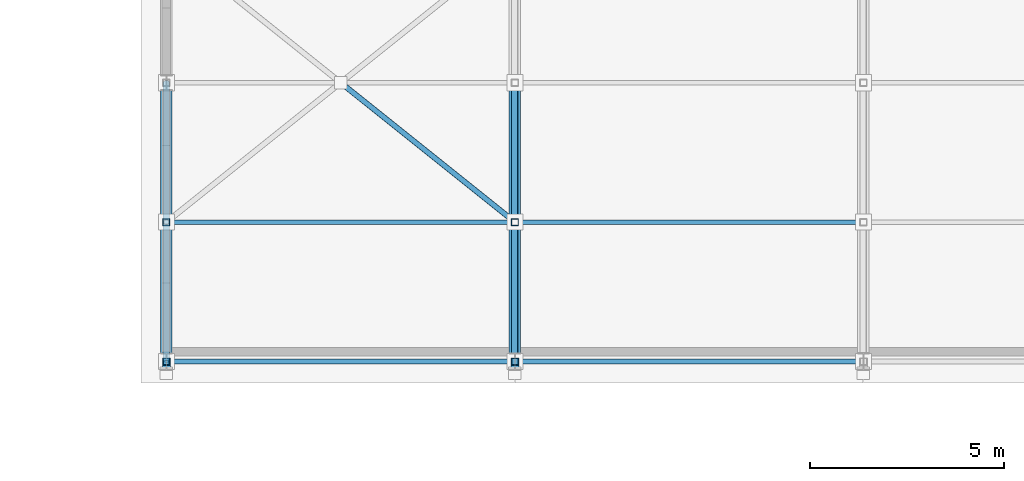
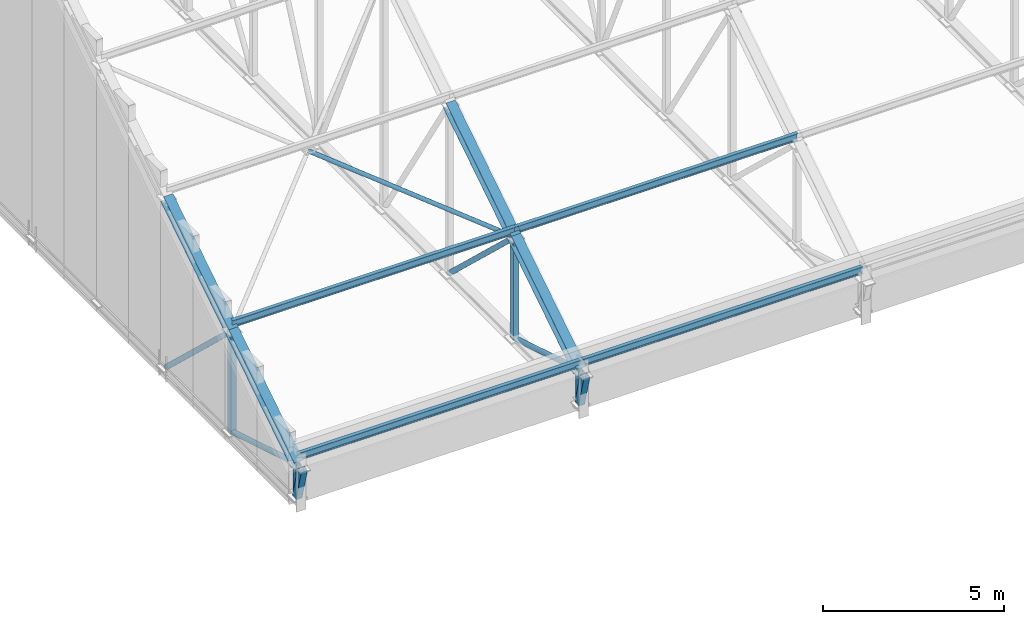
# One storey, part 65 of 182: 19 members.
"""IFC4 building model written with IfcOpenShell, lengths in metres."""

from ifc_helpers import new_model, si_unit, direction, frame, origin, origin_2d, place, context, subcontext, project, spatial, hollow_rectangle, hollow_circle, i_section, extrude, material, material_profile, profile_set, type_object, element, save


model = new_model("IFC4")

# Units and contexts
model_context = context("Model", 3, precision=1e-05, world=origin(), true_north=direction((0.0, 1.0)))
body_context = subcontext(model_context, "Body", "Model", "MODEL_VIEW")
ifc_project = project(units=[si_unit("LENGTHUNIT", "METRE"), si_unit("AREAUNIT", "SQUARE_METRE"), si_unit("VOLUMEUNIT", "CUBIC_METRE"), si_unit("PLANEANGLEUNIT", "RADIAN"), si_unit("MASSUNIT", "GRAM", prefix="KILO")], contexts=[model_context])

# Site, building, storey
site_placement = place(None, origin())
site = spatial("IfcSite", under=ifc_project, at=site_placement, CompositionType="ELEMENT")
building_placement = place(site_placement, origin())
building = spatial("IfcBuilding", under=site, at=building_placement, Name="Chiffa Square Polytechnic", CompositionType="ELEMENT")
storey_placement = place(building_placement, frame((0.0, 0.0, 9.60009765625)))
storey = spatial("IfcBuildingStorey", under=building, at=storey_placement, Name="L02", CompositionType="ELEMENT", Elevation=9.60009765625)

# Members
ifc_material = material(Name="Steel S355", Category="steel")
ifc_material_profile_1 = material_profile(ifc_material, hollow_circle(Radius=0.06982421875, WallThickness=0.008056640625, at=origin_2d()), Name="CHS 139.7x8")
ifc_profile_set_1 = profile_set([ifc_material_profile_1], Name="Steel S355")
member_type_1 = type_object("IfcMemberType", Name="MEM-BRC-CHS140", PredefinedType="BRACE", material=ifc_profile_set_1)
member_1_placement = place(storey_placement, frame((116.699951171875, 65.39990234375, 6.0498046875), z_axis=(0.725259063679, -0.58018364225, -0.370656487623), x_axis=(0.624679547852, 0.780881208953, 0.0)))
element("IfcMember", 1, at=member_1_placement, inside=storey, type_object=member_type_1, Name="Workshop split roof X-brace segment BR-V2-RF-01S2B", PredefinedType="BRACE", context=body_context, shape_type="SweptSolid", body=[
    extrude(hollow_circle(Radius=0.06982421875, WallThickness=0.008056640625, at=origin_2d()), origin(), (0.0, 0.0, 1.0), 6.20458984375),
])
ifc_material_profile_2 = material_profile(ifc_material, i_section(OverallWidth=0.300048828125, OverallDepth=0.31005859375, WebThickness=0.009033203125, FlangeThickness=0.015380859375, FilletRadius=0.027099609375, at=origin_2d()), Name="HEA 320")
ifc_profile_set_2 = profile_set([ifc_material_profile_2], Name="Steel S355")
member_type_2 = type_object("IfcMemberType", Name="MEM-CHORD-HEA320", PredefinedType="CHORD", material=ifc_profile_set_2)
member_2_placement = place(storey_placement, frame((112.199951171875, 58.199951171875, 1.449951171875), z_axis=(0.0, 0.84269770024, 0.538387022512), x_axis=(-1.0, 0.0, 0.0)))
element("IfcMember", 2, at=member_2_placement, inside=storey, type_object=member_type_2, Name="Workshop roof truss top chord TCT-V2-01-01", PredefinedType="CHORD", context=body_context, shape_type="SweptSolid", body=[
    extrude(i_section(OverallWidth=0.300048828125, OverallDepth=0.31005859375, WebThickness=0.009033203125, FlangeThickness=0.015380859375, FilletRadius=0.027099609375, at=origin_2d()), origin(), (0.0, 0.0, 1.0), 4.272216796875),
])
member_3_placement = place(storey_placement, frame((112.199951171875, 61.800048828125, 3.75), z_axis=(0.0, 0.84270706373, 0.538372366248), x_axis=(-1.0, 0.0, 0.0)))
element("IfcMember", 3, at=member_3_placement, inside=storey, type_object=member_type_2, Name="Workshop roof truss top chord TCT-V2-01-02", PredefinedType="CHORD", context=body_context, shape_type="SweptSolid", body=[
    extrude(i_section(OverallWidth=0.300048828125, OverallDepth=0.31005859375, WebThickness=0.009033203125, FlangeThickness=0.015380859375, FilletRadius=0.027099609375, at=origin_2d()), origin(), (0.0, 0.0, 1.0), 4.271728515625),
])
member_4_placement = place(storey_placement, frame((121.199951171875, 58.199951171875, 1.449951171875), z_axis=(0.0, 0.84269770024, 0.538387022512), x_axis=(-1.0, 0.0, 0.0)))
element("IfcMember", 4, at=member_4_placement, inside=storey, type_object=member_type_2, Name="Workshop roof truss top chord TCT-V2-02-01", PredefinedType="CHORD", context=body_context, shape_type="SweptSolid", body=[
    extrude(i_section(OverallWidth=0.300048828125, OverallDepth=0.31005859375, WebThickness=0.009033203125, FlangeThickness=0.015380859375, FilletRadius=0.027099609375, at=origin_2d()), origin(), (0.0, 0.0, 1.0), 4.272216796875),
])
member_5_placement = place(storey_placement, frame((121.199951171875, 61.800048828125, 3.75), z_axis=(0.0, 0.84270706373, 0.538372366248), x_axis=(-1.0, 0.0, 0.0)))
element("IfcMember", 5, at=member_5_placement, inside=storey, type_object=member_type_2, Name="Workshop roof truss top chord TCT-V2-02-02", PredefinedType="CHORD", context=body_context, shape_type="SweptSolid", body=[
    extrude(i_section(OverallWidth=0.300048828125, OverallDepth=0.31005859375, WebThickness=0.009033203125, FlangeThickness=0.015380859375, FilletRadius=0.027099609375, at=origin_2d()), origin(), (0.0, 0.0, 1.0), 4.271728515625),
])
ifc_material_profile_3 = material_profile(ifc_material, i_section(OverallWidth=0.1201171875, OverallDepth=0.239990234375, WebThickness=0.006103515625, FlangeThickness=0.009765625, FilletRadius=0.014892578125, at=origin_2d()), Name="IPE 240")
ifc_profile_set_3 = profile_set([ifc_material_profile_3], Name="Steel S355")
member_type_3 = type_object("IfcMemberType", Name="MEM-PUR-IPE240", PredefinedType="PURLIN", material=ifc_profile_set_3)
for number, where, z_axis, x_axis, name in (
    (6, (112.199951171875, 58.199951171875, 1.699951171875), (1.0, 0.0, 0.0), (0.0, 1.0, 0.0), "Workshop steel roof purlin PU-V2-01-01"),
    (7, (112.199951171875, 61.800048828125, 4.0), (1.0, 0.0, 0.0), (0.0, 1.0, 0.0), "Workshop steel roof purlin PU-V2-01-02"),
    (8, (121.199951171875, 58.199951171875, 1.699951171875), (1.0, 0.0, 0.0), (0.0, 1.0, 0.0), "Workshop steel roof purlin PU-V2-02-01"),
    (9, (121.199951171875, 61.800048828125, 4.0), (1.0, 0.0, 0.0), (0.0, 1.0, 0.0), "Workshop steel roof purlin PU-V2-02-02"),
):
    element("IfcMember", number, at=place(storey_placement, frame(where, z_axis=z_axis, x_axis=x_axis)), inside=storey, type_object=member_type_3, Name=name, PredefinedType="PURLIN", context=body_context, shape_type="SweptSolid", body=[
        extrude(i_section(OverallWidth=0.1201171875, OverallDepth=0.239990234375, WebThickness=0.006103515625, FlangeThickness=0.009765625, FilletRadius=0.014892578125, at=origin_2d()), origin(), (0.0, 0.0, 1.0), 9.0),
    ])
ifc_material_profile_4 = material_profile(ifc_material, hollow_rectangle(XDim=0.199951171875, YDim=0.199951171875, WallThickness=0.010009765625, at=origin_2d()), Name="RHS 200x200x10")
ifc_profile_set_4 = profile_set([ifc_material_profile_4], Name="Steel S355")
member_type_4 = type_object("IfcMemberType", Name="MEM-STRUT-RHS200", PredefinedType="STRUT", material=ifc_profile_set_4)
for number, where, z_axis, x_axis, name in (
    (10, (112.199951171875, 58.199951171875, 0.349853515625), (0.0, -0.263135522356, 0.964758880174), (1.0, 0.0, 0.0), "Eave outrigger strut OS-V2-S-01"),
    (11, (121.199951171875, 58.199951171875, 0.349853515625), (0.0, -0.263135522356, 0.964758880174), (1.0, 0.0, 0.0), "Eave outrigger strut OS-V2-S-02"),
):
    element("IfcMember", number, at=place(storey_placement, frame(where, z_axis=z_axis, x_axis=x_axis)), inside=storey, type_object=member_type_4, Name=name, PredefinedType="STRUT", context=body_context, shape_type="SweptSolid", body=[
        extrude(hollow_rectangle(XDim=0.199951171875, YDim=0.199951171875, WallThickness=0.010009765625, at=origin_2d()), origin(), (0.0, 0.0, 1.0), 1.140380859375),
    ])
ifc_material_profile_5 = material_profile(ifc_material, hollow_circle(Radius=0.084228515625, WallThickness=0.010009765625, at=origin_2d()), Name="CHS 168.3x10")
ifc_profile_set_5 = profile_set([ifc_material_profile_5], Name="Steel S355")
member_type_5 = type_object("IfcMemberType", Name="MEM-WEB-CHS168", PredefinedType="MEMBER", material=ifc_profile_set_5)
member_6_placement = place(storey_placement, frame((112.199951171875, 58.199951171875, 1.449951171875), z_axis=(0.0, 0.956346536322, -0.292235012388), x_axis=(-1.0, 0.0, 0.0)))
element("IfcMember", 12, at=member_6_placement, inside=storey, type_object=member_type_5, Name="Workshop roof truss diagonal TWD-V2-01-01", PredefinedType="MEMBER", context=body_context, shape_type="SweptSolid", body=[
    extrude(hollow_circle(Radius=0.084228515625, WallThickness=0.010009765625, at=origin_2d()), origin(), (0.0, 0.0, 1.0), 3.764404296875),
])
member_7_placement = place(storey_placement, frame((112.199951171875, 61.800048828125, 3.75), z_axis=(0.0, 0.726984438285, -0.686653935029), x_axis=(-1.0, 0.0, 0.0)))
element("IfcMember", 13, at=member_7_placement, inside=storey, type_object=member_type_5, Name="Workshop roof truss diagonal TWD-V2-01-02", PredefinedType="MEMBER", context=body_context, shape_type="SweptSolid", body=[
    extrude(hollow_circle(Radius=0.084228515625, WallThickness=0.010009765625, at=origin_2d()), origin(), (0.0, 0.0, 1.0), 4.95166015625),
])
member_8_placement = place(storey_placement, frame((121.199951171875, 58.199951171875, 1.449951171875), z_axis=(0.0, 0.956346536322, -0.292235012388), x_axis=(-1.0, 0.0, 0.0)))
element("IfcMember", 14, at=member_8_placement, inside=storey, type_object=member_type_5, Name="Workshop roof truss diagonal TWD-V2-02-01", PredefinedType="MEMBER", context=body_context, shape_type="SweptSolid", body=[
    extrude(hollow_circle(Radius=0.084228515625, WallThickness=0.010009765625, at=origin_2d()), origin(), (0.0, 0.0, 1.0), 3.764404296875),
])
member_9_placement = place(storey_placement, frame((121.199951171875, 61.800048828125, 3.75), z_axis=(0.0, 0.726984438285, -0.686653935029), x_axis=(-1.0, 0.0, 0.0)))
element("IfcMember", 15, at=member_9_placement, inside=storey, type_object=member_type_5, Name="Workshop roof truss diagonal TWD-V2-02-02", PredefinedType="MEMBER", context=body_context, shape_type="SweptSolid", body=[
    extrude(hollow_circle(Radius=0.084228515625, WallThickness=0.010009765625, at=origin_2d()), origin(), (0.0, 0.0, 1.0), 4.95166015625),
])
ifc_material_profile_6 = material_profile(ifc_material, hollow_rectangle(XDim=0.179931640625, YDim=0.179931640625, WallThickness=0.010009765625, at=origin_2d()), Name="RHS 180x180x10")
ifc_profile_set_6 = profile_set([ifc_material_profile_6], Name="Steel S355")
member_type_6 = type_object("IfcMemberType", Name="MEM-WEB-RHS180", PredefinedType="MEMBER", material=ifc_profile_set_6)
member_10_placement = place(storey_placement, frame((112.199951171875, 58.199951171875, 0.349853515625), z_axis=(0.0, 0.0, 1.0), x_axis=(1.0, 0.0, 0.0)))
element("IfcMember", 16, at=member_10_placement, inside=storey, type_object=member_type_6, Name="Workshop roof truss vertical TWV-V2-01-01", PredefinedType="MEMBER", context=body_context, shape_type="SweptSolid", body=[
    extrude(hollow_rectangle(XDim=0.179931640625, YDim=0.179931640625, WallThickness=0.010009765625, at=origin_2d()), origin(), (0.0, 0.0, 1.0), 1.10009765625),
])
member_11_placement = place(storey_placement, frame((112.199951171875, 61.800048828125, 0.349853515625), z_axis=(0.0, 0.0, 1.0), x_axis=(1.0, 0.0, 0.0)))
element("IfcMember", 17, at=member_11_placement, inside=storey, type_object=member_type_6, Name="Workshop roof truss vertical TWV-V2-01-02", PredefinedType="MEMBER", context=body_context, shape_type="SweptSolid", body=[
    extrude(hollow_rectangle(XDim=0.179931640625, YDim=0.179931640625, WallThickness=0.010009765625, at=origin_2d()), origin(), (0.0, 0.0, 1.0), 3.400146484375),
])
member_12_placement = place(storey_placement, frame((121.199951171875, 58.199951171875, 0.349853515625), z_axis=(0.0, 0.0, 1.0), x_axis=(1.0, 0.0, 0.0)))
element("IfcMember", 18, at=member_12_placement, inside=storey, type_object=member_type_6, Name="Workshop roof truss vertical TWV-V2-02-01", PredefinedType="MEMBER", context=body_context, shape_type="SweptSolid", body=[
    extrude(hollow_rectangle(XDim=0.179931640625, YDim=0.179931640625, WallThickness=0.010009765625, at=origin_2d()), origin(), (0.0, 0.0, 1.0), 1.10009765625),
])
member_13_placement = place(storey_placement, frame((121.199951171875, 61.800048828125, 0.349853515625), z_axis=(0.0, 0.0, 1.0), x_axis=(1.0, 0.0, 0.0)))
element("IfcMember", 19, at=member_13_placement, inside=storey, type_object=member_type_6, Name="Workshop roof truss vertical TWV-V2-02-02", PredefinedType="MEMBER", context=body_context, shape_type="SweptSolid", body=[
    extrude(hollow_rectangle(XDim=0.179931640625, YDim=0.179931640625, WallThickness=0.010009765625, at=origin_2d()), origin(), (0.0, 0.0, 1.0), 3.400146484375),
])

save(model, "model.ifc")
